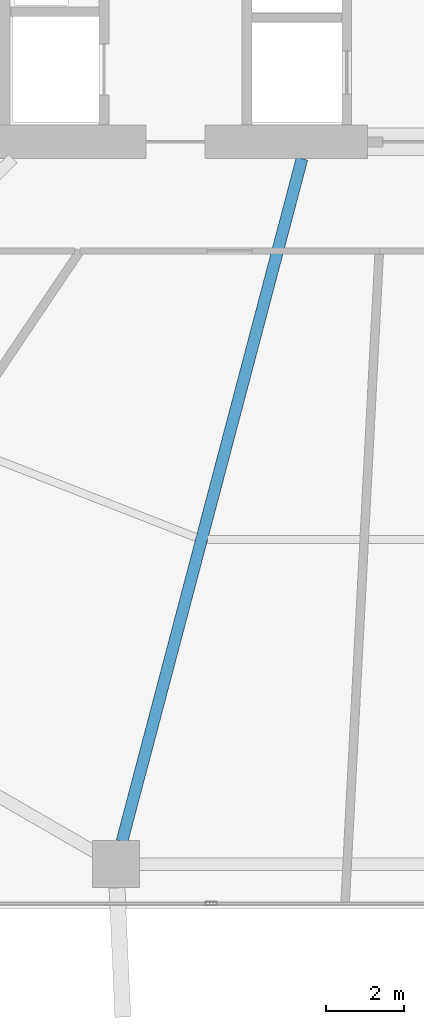
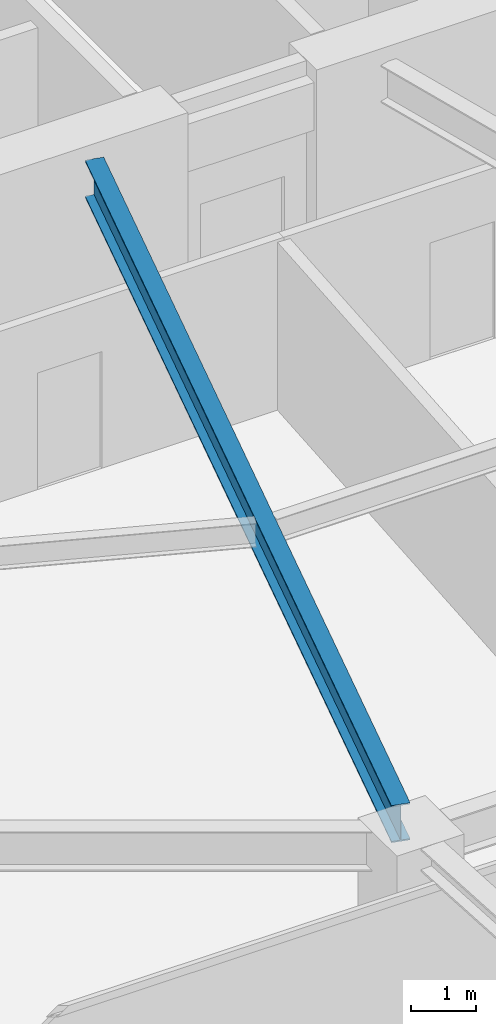
# One storey, part 4 of 25: 1 beam.
"""IFC4 building model written with IfcOpenShell, lengths in metres."""

from ifc_helpers import new_model, si_unit, direction, frame, origin, origin_2d, place, context, subcontext, project, spatial, i_section, extrude, material, material_profile, profile_set, type_object, element, save


model = new_model("IFC4")

# Units and contexts
model_context = context("Model", 3, precision=1e-05, world=origin(), true_north=direction((0.0, 1.0)))
body_context = subcontext(model_context, "Body", "Model", "MODEL_VIEW")
ifc_project = project(units=[si_unit("LENGTHUNIT", "METRE"), si_unit("AREAUNIT", "SQUARE_METRE"), si_unit("VOLUMEUNIT", "CUBIC_METRE"), si_unit("PLANEANGLEUNIT", "RADIAN"), si_unit("MASSUNIT", "GRAM", prefix="KILO")], contexts=[model_context])

# Site, building, storey
site_placement = place(None, origin())
site = spatial("IfcSite", under=ifc_project, at=site_placement, CompositionType="ELEMENT")
building_placement = place(site_placement, origin())
building = spatial("IfcBuilding", under=site, at=building_placement, Name="Zuhravey Tower", CompositionType="ELEMENT")
storey_placement = place(building_placement, frame((0.0, 0.0, 45.60009765625)))
storey = spatial("IfcBuildingStorey", under=building, at=storey_placement, Name="L11", CompositionType="ELEMENT", Elevation=45.60009765625)

# Beam
ifc_material = material(Name="Steel SM355", Category="steel")
ifc_material_profile = material_profile(ifc_material, i_section(OverallWidth=0.300048828125, OverallDepth=0.699951171875, WebThickness=0.012939453125, FlangeThickness=0.02392578125, at=origin_2d()), Name="H-700x300x13x24")
ifc_profile_set = profile_set([ifc_material_profile], Name="Steel SM355")
beam_type = type_object("IfcBeamType", Name="Radial Primary Girder H700x300", PredefinedType="BEAM", material=ifc_profile_set)
beam_placement = place(storey_placement, frame((33.382080078125, 22.072021484375, 3.56982421875), z_axis=(-0.254989720435, -0.966943763862, 0.0), x_axis=(0.966943763862, -0.254989720435, 0.0)))
element("IfcBeam", 1, at=beam_placement, inside=storey, type_object=beam_type, Name="L11 RG1 BM-L11-RAD-09", PredefinedType="BEAM", context=body_context, shape_type="SweptSolid", body=[
    extrude(i_section(OverallWidth=0.300048828125, OverallDepth=0.699951171875, WebThickness=0.012939453125, FlangeThickness=0.02392578125, at=origin_2d()), origin(), (0.0, 0.0, 1.0), 18.03369140625),
])

save(model, "model.ifc")
